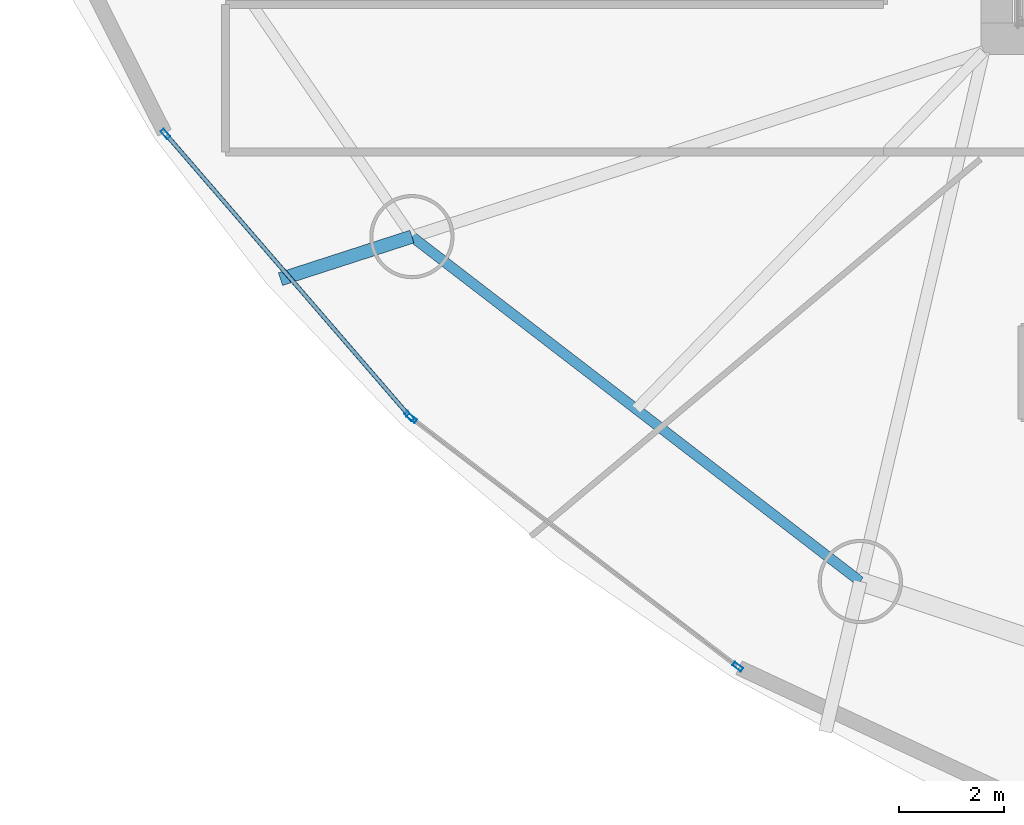
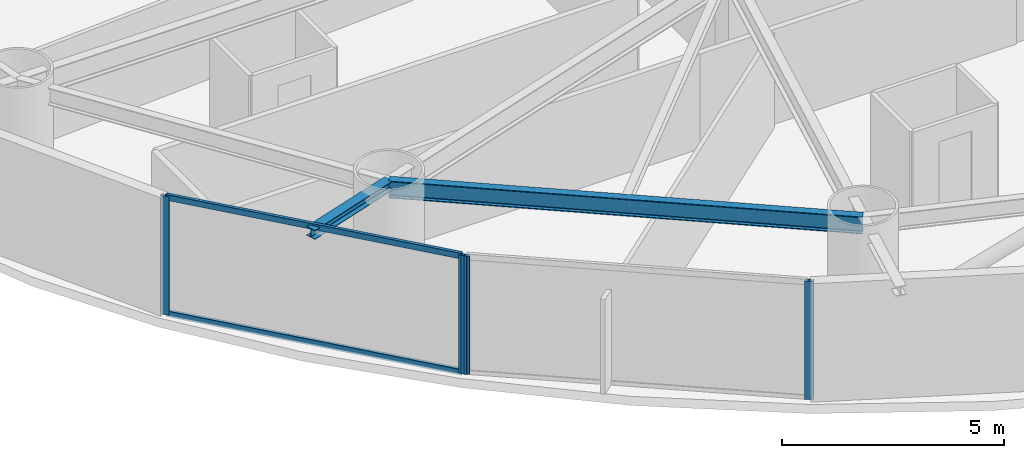
# One storey, part 2 of 26: 6 members, 2 beams, 2 elements without a shape of their own.
"""IFC4 building model written with IfcOpenShell, lengths in metres."""

import ifcopenshell
import ifcopenshell.guid

model = None  # the IFC model being written
_history = None  # IfcOwnerHistory: only IFC2X3 demands one
_inside = {}  # id of a spatial element -> (the spatial element, [elements in it])
_under = {}  # id of a project, library or spatial element -> (it, [spatial elements below it])
_declared = {}  # id of a project -> (the project, [libraries it declares])
_typed = {}  # id of a type object -> (the type object, [elements of that type])
_made_of = {}  # id of a material, layer set ... -> (it, [elements and type objects made of it])


def new_model(schema):
    """Start an empty IFC model of exactly this schema.

    Asked for "IFC4X3", IfcOpenShell would pick the latest addendum, in which some entities
    have other attributes; the version numbers below select the first issue.
    IFC2X3 requires an IfcOwnerHistory on every rooted entity: one is made here for all.
    """
    global model, _history
    if schema == "IFC4X3":
        model = ifcopenshell.file(schema_version=(4, 3, 0, 0))
    else:
        model = ifcopenshell.file(schema=schema)
    _inside.clear()
    _under.clear()
    _declared.clear()
    _typed.clear()
    _made_of.clear()
    _history = None
    if model.schema == "IFC2X3":
        org = make("IfcOrganization", Name="unknown")
        user = make(
            "IfcPersonAndOrganization",
            ThePerson=make("IfcPerson", FamilyName="unknown"),
            TheOrganization=org,
        )
        app = make(
            "IfcApplication",
            ApplicationDeveloper=org,
            Version="unknown",
            ApplicationFullName="unknown",
            ApplicationIdentifier="unknown",
        )
        _history = make(
            "IfcOwnerHistory",
            OwningUser=user,
            OwningApplication=app,
            ChangeAction="ADDED",
            CreationDate=0,
        )
    return model


def make(cls, **values):
    """One entity of the class cls with the attributes given. An attribute that is None is left unset."""
    return model.create_entity(
        cls, **{name: value for name, value in values.items() if value is not None}
    )


def rooted(cls, **values):
    """An entity with a GlobalId (a new one), such as an element, a storey or a relation."""
    return make(cls, GlobalId=ifcopenshell.guid.new(), OwnerHistory=_history, **values)


def si_unit(unit_type, name, prefix=None):
    """IfcSIUnit, for example si_unit("LENGTHUNIT", "METRE", prefix="MILLI")."""
    return make("IfcSIUnit", UnitType=unit_type, Prefix=prefix, Name=name)


def assignment(units):
    """IfcUnitAssignment: the units of a project."""
    return None if units is None else make("IfcUnitAssignment", Units=units)


def point(xyz):
    """IfcCartesianPoint."""
    return None if xyz is None else make("IfcCartesianPoint", Coordinates=xyz)


def direction(xyz):
    """IfcDirection."""
    return None if xyz is None else make("IfcDirection", DirectionRatios=xyz)


def frame(location, z_axis=None, x_axis=None):
    """IfcAxis2Placement3D, a coordinate frame: its origin and axes. An axis left out is left unset."""
    return make(
        "IfcAxis2Placement3D",
        Location=point(location),
        Axis=direction(z_axis),
        RefDirection=direction(x_axis),
    )


def frame_2d(location, x_axis=None):
    """IfcAxis2Placement2D, a coordinate frame in the plane: its origin and x axis."""
    return make(
        "IfcAxis2Placement2D", Location=point(location), RefDirection=direction(x_axis)
    )


def origin():
    """The frame at (0, 0, 0) with its axes left unset."""
    return frame((0.0, 0.0, 0.0))


def origin_2d():
    """The frame at (0, 0) in the plane with its x axis left unset."""
    return frame_2d((0.0, 0.0))


def place(relative_to, where):
    """IfcLocalPlacement: puts the frame where relative to a parent placement (None: the world)."""
    return make(
        "IfcLocalPlacement", PlacementRelTo=relative_to, RelativePlacement=where
    )


def context(
    kind, dimensions, precision=None, world=None, true_north=None, identifier=None
):
    """IfcGeometricRepresentationContext, for example the 3D "Model" context."""
    return make(
        "IfcGeometricRepresentationContext",
        ContextIdentifier=identifier,
        ContextType=kind,
        CoordinateSpaceDimension=dimensions,
        Precision=precision,
        WorldCoordinateSystem=world,
        TrueNorth=true_north,
    )


def subcontext(parent, identifier, kind, view, scale=None):
    """IfcGeometricRepresentationSubContext, for example "Body" below "Model"."""
    return make(
        "IfcGeometricRepresentationSubContext",
        ContextIdentifier=identifier,
        ContextType=kind,
        ParentContext=parent,
        TargetScale=scale,
        TargetView=view,
    )


def project(units=None, contexts=None):
    """IfcProject with its units and contexts."""
    return rooted(
        "IfcProject",
        Name="project",
        RepresentationContexts=contexts,
        UnitsInContext=assignment(units),
    )


def spatial(cls, under=None, at=None, **own):
    """A site, building, storey or space (cls), placed at a placement, below another one or the project."""
    s = rooted(cls, ObjectPlacement=at, **own)
    if under is not None:
        _under.setdefault(under.id(), (under, []))[1].append(s)
    return s


def profile(cls, at=None, kind="AREA", **sizes):
    """A parametric profile (cls). Its sizes go by their IFC names, for example OverallWidth=200.0."""
    return make(cls, ProfileType=kind, Position=at, **sizes)


def hollow_rectangle(**sizes):
    """IfcRectangleHollowProfileDef."""
    return profile("IfcRectangleHollowProfileDef", **sizes)


def i_section(**sizes):
    """IfcIShapeProfileDef."""
    return profile("IfcIShapeProfileDef", **sizes)


def extrude(swept, where, along, depth):
    """IfcExtrudedAreaSolid: the profile swept, set in the frame where, extruded along a direction by depth."""
    return make(
        "IfcExtrudedAreaSolid",
        SweptArea=swept,
        Position=where,
        ExtrudedDirection=direction(along),
        Depth=depth,
    )


def shape(context_of_items, identifier, shape_type, items):
    """IfcShapeRepresentation: the items that make up one representation, for example the "Body"."""
    return make(
        "IfcShapeRepresentation",
        ContextOfItems=context_of_items,
        RepresentationIdentifier=identifier,
        RepresentationType=shape_type,
        Items=items,
    )


def material(Name=None, Category=None):
    """IfcMaterial."""
    return make("IfcMaterial", Name=Name, Category=Category)


def layer(
    of_material, thickness, ventilated=None, Name=None, Category=None, Priority=None
):
    """IfcMaterialLayer: one layer of a wall or slab, of a material (None: an air gap)."""
    return make(
        "IfcMaterialLayer",
        Material=of_material,
        LayerThickness=thickness,
        IsVentilated=ventilated,
        Name=Name,
        Category=Category,
        Priority=Priority,
    )


def layer_set(layers, Name=None):
    """IfcMaterialLayerSet."""
    return make("IfcMaterialLayerSet", MaterialLayers=layers, LayerSetName=Name)


def material_profile(
    of_material, cross_section, Name=None, Category=None, Priority=None
):
    """IfcMaterialProfile: a cross section and its material."""
    return make(
        "IfcMaterialProfile",
        Name=Name,
        Material=of_material,
        Profile=cross_section,
        Priority=Priority,
        Category=Category,
    )


def profile_set(profiles, Name=None, composite=None):
    """IfcMaterialProfileSet."""
    return make(
        "IfcMaterialProfileSet",
        Name=Name,
        MaterialProfiles=profiles,
        CompositeProfile=composite,
    )


def made_of(thing, what):
    """Note that an element or type object is made of a material, layer set ...; save() writes the relation."""
    if what is not None:
        _made_of.setdefault(what.id(), (what, []))[1].append(thing)
    return thing


def type_object(cls, material=None, **own):
    """A type object (cls), such as IfcWallType, which elements share."""
    return made_of(rooted(cls, **own), material)


def element(
    cls,
    number,
    at=None,
    inside=None,
    cuts=None,
    type_object=None,
    material=None,
    context=None,
    identifier="Body",
    shape_type=None,
    held_by="IfcProductDefinitionShape",
    body=None,
    shapes=None,
    **own,
):
    """One element of the class cls, such as IfcWall. Its Tag is "e" and its number.

    at: its placement. inside: the storey or other place that contains it. cuts: it is an
    opening in that element (IfcRelVoidsElement). A single representation is given by context,
    identifier, shape_type and body (its items); several are given by shapes. held_by: the class
    of the entity that holds the representations. save() writes the other relations.
    """
    e = rooted(cls, Tag="e%d" % number, ObjectPlacement=at, **own)
    if body is not None:
        shapes = [shape(context, identifier, shape_type, body)]
    if shapes is not None:
        e.Representation = make(held_by, Representations=shapes)
    if inside is not None:
        _inside.setdefault(inside.id(), (inside, []))[1].append(e)
    if cuts is not None:
        rooted(
            "IfcRelVoidsElement", RelatingBuildingElement=cuts, RelatedOpeningElement=e
        )
    if type_object is not None:
        _typed.setdefault(type_object.id(), (type_object, []))[1].append(e)
    return made_of(e, material)


def aggregate(whole, parts):
    """IfcRelAggregates: a whole, such as a stair, and the parts it consists of."""
    return rooted("IfcRelAggregates", RelatingObject=whole, RelatedObjects=parts)


def save(model, path):
    """Write the relations noted so far, then the file.

    IfcRelAggregates (storeys below a building ...), IfcRelContainedInSpatialStructure (elements
    in a storey), IfcRelDefinesByType, IfcRelAssociatesMaterial and IfcRelDeclares: one each for
    every whole, place, type object, material and project.
    """
    for whole, parts in _under.values():
        aggregate(whole, parts)
    for where, things in _inside.values():
        rooted(
            "IfcRelContainedInSpatialStructure",
            RelatedElements=things,
            RelatingStructure=where,
        )
    for kind, things in _typed.values():
        rooted("IfcRelDefinesByType", RelatedObjects=things, RelatingType=kind)
    for what, things in _made_of.values():
        rooted("IfcRelAssociatesMaterial", RelatedObjects=things, RelatingMaterial=what)
    for by, libraries in _declared.values():
        rooted("IfcRelDeclares", RelatingContext=by, RelatedDefinitions=libraries)
    model.write(path)


model = new_model("IFC4")

# Units and contexts
model_context = context("Model", 3, precision=1e-05, world=origin(), true_north=direction((0.0, 1.0)))
body_context = subcontext(model_context, "Body", "Model", "MODEL_VIEW")
ifc_project = project(units=[si_unit("LENGTHUNIT", "METRE"), si_unit("AREAUNIT", "SQUARE_METRE"), si_unit("VOLUMEUNIT", "CUBIC_METRE"), si_unit("PLANEANGLEUNIT", "RADIAN"), si_unit("MASSUNIT", "GRAM", prefix="KILO")], contexts=[model_context])

# Site, building, storey
site_placement = place(None, origin())
site = spatial("IfcSite", under=ifc_project, at=site_placement, CompositionType="ELEMENT")
building_placement = place(site_placement, origin())
building = spatial("IfcBuilding", under=site, at=building_placement, Name="Bramvorn Convention Spire", CompositionType="ELEMENT")
storey_placement = place(building_placement, frame((0.0, 0.0, 51.89990234375)))
storey = spatial("IfcBuildingStorey", under=building, at=storey_placement, Name="L10", CompositionType="ELEMENT", Elevation=51.89990234375)

# Beams
ifc_material_1 = material(Name="Steel CSA G40.21 Grade 350 (350W)", Category="steel")
ifc_material_profile_1 = material_profile(ifc_material_1, i_section(OverallWidth=0.25390625, OverallDepth=0.2529296875, WebThickness=0.008544921875, FlangeThickness=0.01416015625, FilletRadius=0.011962890625, at=origin_2d()))
ifc_profile_set_1 = profile_set([ifc_material_profile_1], Name="Steel CSA G40.21 Grade 350 (350W) - W250X73")
beam_type_1 = type_object("IfcBeamType", Name="BM-W250X73", PredefinedType="BEAM", material=ifc_profile_set_1)
beam_1_placement = place(storey_placement, frame((15.894775390625, 15.039794921875, 3.12353515625), z_axis=(-0.951492606113, -0.307671611484, 0.0), x_axis=(0.307671611484, -0.951492606113, 0.0)))
element("IfcBeam", 1, at=beam_1_placement, inside=storey, type_object=beam_type_1, Name="L10 slab-edge cantilever tip beam MC11", PredefinedType="BEAM", context=body_context, shape_type="SweptSolid", body=[
    extrude(i_section(OverallWidth=0.25390625, OverallDepth=0.2529296875, WebThickness=0.008544921875, FlangeThickness=0.01416015625, FilletRadius=0.011962890625, at=origin_2d()), origin(), (0.0, 0.0, 1.0), 2.623291015625),
])
ifc_material_profile_2 = material_profile(ifc_material_1, i_section(OverallWidth=0.194091796875, OverallDepth=0.468994140625, WebThickness=0.0126953125, FlangeThickness=0.0205078125, FilletRadius=0.01806640625, at=origin_2d()))
ifc_profile_set_2 = profile_set([ifc_material_profile_2], Name="Steel CSA G40.21 Grade 350 (350W) - W460X106")
beam_type_2 = type_object("IfcBeamType", Name="BM-W460X106", PredefinedType="SPANDREL", material=ifc_profile_set_2)
beam_2_placement = place(storey_placement, frame((15.894775390625, 15.039794921875, 3.015625), z_axis=(0.792672990445, -0.609647053809, 0.0), x_axis=(0.609647053809, 0.792672990445, 0.0)))
element("IfcBeam", 2, at=beam_2_placement, inside=storey, type_object=beam_type_2, Name="L10 mega-column ring beam 11", PredefinedType="SPANDREL", context=body_context, shape_type="SweptSolid", body=[
    extrude(i_section(OverallWidth=0.194091796875, OverallDepth=0.468994140625, WebThickness=0.0126953125, FlangeThickness=0.0205078125, FilletRadius=0.01806640625, at=origin_2d()), origin(), (0.0, 0.0, 1.0), 10.741943359375),
])

# Curtain wall, members
ifc_material_2 = material(Name="Anodised Bronze Unitised Curtain Wall", Category="aluminium")
ifc_layer = layer(ifc_material_2, 0.179931640625)
ifc_layer_set = layer_set([ifc_layer], Name="Anodised Bronze Unitised Curtain Wall - CW-HTL-FRIT")
curtain_wall_type = type_object("IfcCurtainWallType", Name="CW-HTL-FRIT", PredefinedType="USERDEFINED", material=ifc_layer_set)
curtain_wall_1_placement = place(storey_placement, origin())
curtain_wall_1 = element("IfcCurtainWall", 3, at=curtain_wall_1_placement, inside=storey, type_object=curtain_wall_type, Name="L10 fritted glass curtain wall 15", ObjectType="UNITISED CURTAIN WALL", PredefinedType="USERDEFINED")
ifc_material_3 = material(Name="Anodised Bronze Aluminium 6063-T6", Category="aluminium")
ifc_material_profile_3 = material_profile(ifc_material_3, hollow_rectangle(XDim=0.080078125, YDim=0.199951171875, WallThickness=0.00390625, InnerFilletRadius=0.0009765625, OuterFilletRadius=0.00390625, at=origin_2d()))
ifc_profile_set_3 = profile_set([ifc_material_profile_3], Name="Anodised Bronze Aluminium 6063-T6 - CWM80X200")
member_type_1 = type_object("IfcMemberType", Name="CW-MUL-180", PredefinedType="MULLION", material=ifc_profile_set_3)
member_1_placement = place(storey_placement, frame((15.84765625, 11.6328125, 0.0), z_axis=(0.0, 0.0, 1.0), x_axis=(-0.756578988947, -0.653902311882, 0.0)))
member_1 = element("IfcMember", 4, at=member_1_placement, type_object=member_type_1, Name="CW2 mullion 1", PredefinedType="MULLION", context=body_context, shape_type="SweptSolid", body=[
    extrude(hollow_rectangle(XDim=0.080078125, YDim=0.199951171875, WallThickness=0.00390625, InnerFilletRadius=0.0009765625, OuterFilletRadius=0.00390625, at=origin_2d()), origin(), (0.0, 0.0, 1.0), 3.25),
])
member_2_placement = place(storey_placement, frame((11.216064453125, 16.991455078125, 0.0), z_axis=(0.0, 0.0, 1.0), x_axis=(-0.756578988947, -0.653902311882, 0.0)))
member_2 = element("IfcMember", 5, at=member_2_placement, type_object=member_type_1, Name="CW2 mullion 2", PredefinedType="MULLION", context=body_context, shape_type="SweptSolid", body=[
    extrude(hollow_rectangle(XDim=0.080078125, YDim=0.199951171875, WallThickness=0.00390625, InnerFilletRadius=0.0009765625, OuterFilletRadius=0.00390625, at=origin_2d()), origin(), (0.0, 0.0, 1.0), 3.25),
])

curtain_wall_2_placement = place(storey_placement, origin())
curtain_wall_2 = element("IfcCurtainWall", 6, at=curtain_wall_2_placement, inside=storey, type_object=curtain_wall_type, Name="L10 fritted glass curtain wall 16", ObjectType="UNITISED CURTAIN WALL", PredefinedType="USERDEFINED")
member_3_placement = place(storey_placement, frame((22.082275390625, 6.87255859375, 0.0), z_axis=(0.0, 0.0, 1.0), x_axis=(-0.606226779363, -0.795291828189, 0.0)))
member_3 = element("IfcMember", 7, at=member_3_placement, type_object=member_type_1, Name="CW2 mullion 1", PredefinedType="MULLION", context=body_context, shape_type="SweptSolid", body=[
    extrude(hollow_rectangle(XDim=0.080078125, YDim=0.199951171875, WallThickness=0.00390625, InnerFilletRadius=0.0009765625, OuterFilletRadius=0.00390625, at=origin_2d()), origin(), (0.0, 0.0, 1.0), 3.25),
])
member_4_placement = place(storey_placement, frame((15.89111328125, 11.591796875, 0.0), z_axis=(0.0, 0.0, 1.0), x_axis=(-0.606226779363, -0.795291828189, 0.0)))
member_4 = element("IfcMember", 8, at=member_4_placement, type_object=member_type_1, Name="CW2 mullion 2", PredefinedType="MULLION", context=body_context, shape_type="SweptSolid", body=[
    extrude(hollow_rectangle(XDim=0.080078125, YDim=0.199951171875, WallThickness=0.00390625, InnerFilletRadius=0.0009765625, OuterFilletRadius=0.00390625, at=origin_2d()), origin(), (0.0, 0.0, 1.0), 3.25),
])
aggregate(curtain_wall_2, [member_3, member_4])

# Member
ifc_material_profile_4 = material_profile(ifc_material_3, hollow_rectangle(XDim=0.080078125, YDim=0.159912109375, WallThickness=0.00390625, InnerFilletRadius=0.0009765625, OuterFilletRadius=0.00390625, at=origin_2d()))
ifc_profile_set_4 = profile_set([ifc_material_profile_4], Name="Anodised Bronze Aluminium 6063-T6 - CWT80X160")
member_type_2 = type_object("IfcMemberType", Name="CW-TRN-150", PredefinedType="USERDEFINED", material=ifc_profile_set_4)
member_5_placement = place(storey_placement, frame((15.827880859375, 11.655517578125, 0.030029296875), z_axis=(-0.653892269309, 0.756587668508, 0.0), x_axis=(-0.756587668508, -0.653892269309, 0.0)))
member_5 = element("IfcMember", 9, at=member_5_placement, type_object=member_type_2, Name="CW2 transom 1.1", ObjectType="TRANSOM", PredefinedType="USERDEFINED", context=body_context, shape_type="SweptSolid", body=[
    extrude(hollow_rectangle(XDim=0.080078125, YDim=0.159912109375, WallThickness=0.00390625, InnerFilletRadius=0.0009765625, OuterFilletRadius=0.00390625, at=origin_2d()), origin(), (0.0, 0.0, 1.0), 7.022705078125),
])

member_6_placement = place(storey_placement, frame((15.827880859375, 11.655517578125, 3.22021484375), z_axis=(-0.653892269309, 0.756587668508, 0.0), x_axis=(-0.756587668508, -0.653892269309, 0.0)))
member_6 = element("IfcMember", 10, at=member_6_placement, type_object=member_type_2, Name="CW2 transom 1.2", ObjectType="TRANSOM", PredefinedType="USERDEFINED", context=body_context, shape_type="SweptSolid", body=[
    extrude(hollow_rectangle(XDim=0.080078125, YDim=0.159912109375, WallThickness=0.00390625, InnerFilletRadius=0.0009765625, OuterFilletRadius=0.00390625, at=origin_2d()), origin(), (0.0, 0.0, 1.0), 7.022705078125),
])

aggregate(curtain_wall_1, [member_1, member_2, member_5, member_6])

save(model, "model.ifc")
